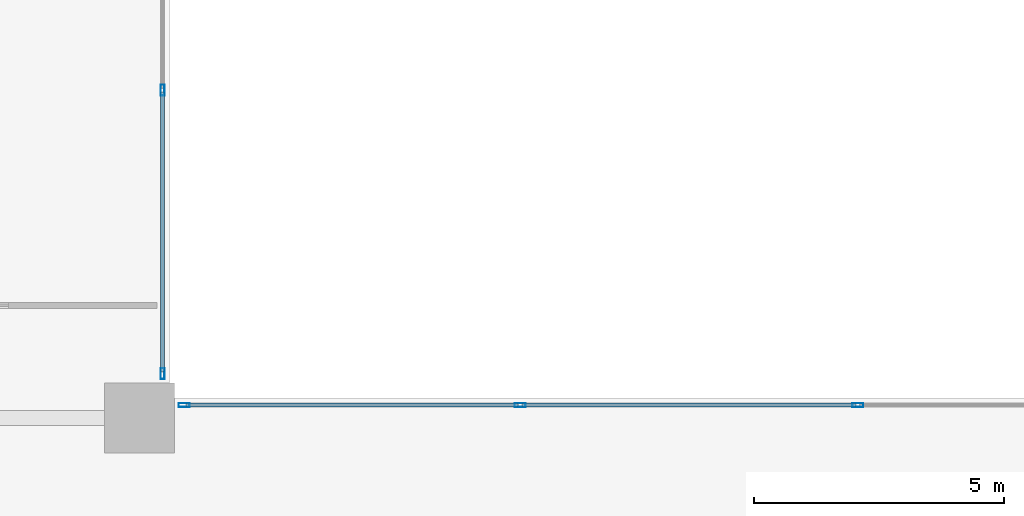
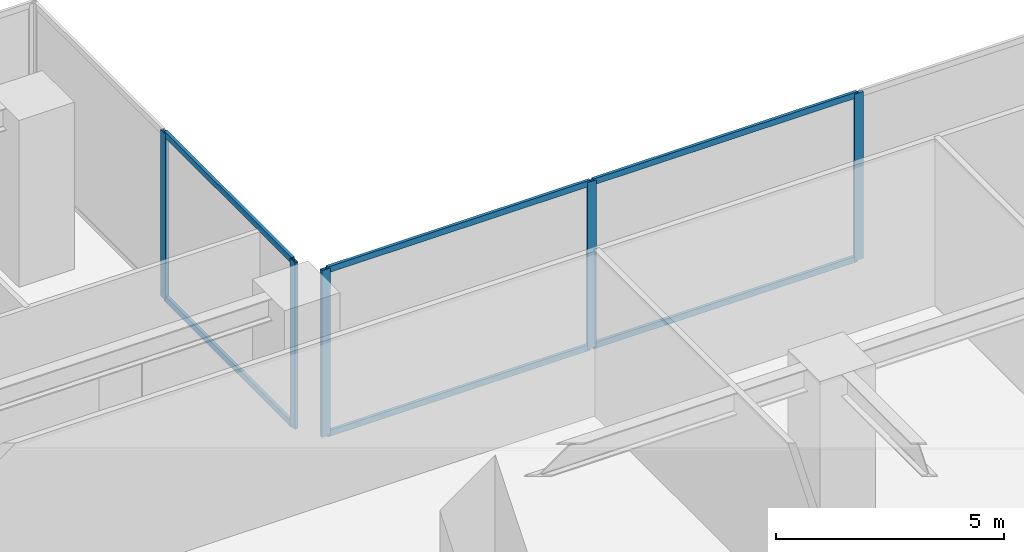
# One storey, part 5 of 16: 11 members, 2 elements without a shape of their own.
"""IFC4 building model written with IfcOpenShell, lengths in metres."""

from ifc_helpers import new_model, si_unit, direction, frame, origin, origin_with_axes, origin_2d, place, context, subcontext, project, spatial, hollow_rectangle, extrude, source, transform, mapped, material, layer, layer_set, material_profile, profile_set, type_object, element, aggregate, save


model = new_model("IFC4")

# Units and contexts
model_context = context("Model", 3, precision=1e-05, world=origin(), true_north=direction((0.0, 1.0)))
body_context = subcontext(model_context, "Body", "Model", "MODEL_VIEW")
ifc_project = project(units=[si_unit("LENGTHUNIT", "METRE"), si_unit("AREAUNIT", "SQUARE_METRE"), si_unit("VOLUMEUNIT", "CUBIC_METRE"), si_unit("PLANEANGLEUNIT", "RADIAN"), si_unit("MASSUNIT", "GRAM", prefix="KILO")], contexts=[model_context])

# Site, building, storey
site_placement = place(None, origin())
site = spatial("IfcSite", under=ifc_project, at=site_placement, CompositionType="ELEMENT")
building_placement = place(site_placement, origin())
building = spatial("IfcBuilding", under=site, at=building_placement, Name="Kolvaren Waterfront Exchange", CompositionType="ELEMENT")
storey_placement = place(building_placement, frame((0.0, 0.0, 20.0)))
storey = spatial("IfcBuildingStorey", under=building, at=storey_placement, Name="L05", CompositionType="ELEMENT", Elevation=20.0)

# Curtain wall, members
ifc_material_1 = material(Name="Anodised bronze aluminium 6063-T6", Category="aluminium")
ifc_layer = layer(ifc_material_1, 0.219970703125, Name="Anodised bronze aluminium 6063-T6")
ifc_layer_set = layer_set([ifc_layer], Name="Anodised bronze aluminium 6063-T6")
curtain_wall_type = type_object("IfcCurtainWallType", Name="ARC-CW-SYS4", PredefinedType="USERDEFINED", material=ifc_layer_set)
curtain_wall_1_placement = place(storey_placement, origin())
curtain_wall_1 = element("IfcCurtainWall", 1, at=curtain_wall_1_placement, inside=storey, type_object=curtain_wall_type, Name="L05 stick curtain wall CW4 (CW-L05-E2)", ObjectType="STICK CURTAIN WALL", PredefinedType="USERDEFINED")
ifc_material_2 = material(Name="Anodised aluminium 6063-T6", Category="aluminium")
ifc_material_profile_1 = material_profile(ifc_material_2, hollow_rectangle(XDim=0.080078125, YDim=0.219970703125, WallThickness=0.0048828125, at=origin_2d()), Name="ALU-MUL-220x80x5")
ifc_profile_set_1 = profile_set([ifc_material_profile_1], Name="Anodised aluminium 6063-T6")
member_type_1 = type_object("IfcMemberType", Name="ARC-CWM-220", PredefinedType="MULLION", material=ifc_profile_set_1)
shared_shape_1 = source(origin_with_axes(), body_context, "Body", "SweptSolid", [
    extrude(hollow_rectangle(XDim=0.080078125, YDim=0.219970703125, WallThickness=0.0048828125, at=origin_2d()), origin(), (0.0, 0.0, 1.0), 4.4599609375),
])
member_1_placement = place(storey_placement, frame((51.155029296875, 39.06005859375, 0.0), z_axis=(0.0, 0.0, 1.0), x_axis=(0.0, -1.0, 0.0)))
member_1 = element("IfcMember", 2, at=member_1_placement, type_object=member_type_1, Name="CW4 mullion 3", PredefinedType="MULLION", context=body_context, shape_type="MappedRepresentation", body=[
    mapped(shared_shape_1, transform((0.0, 0.0, 0.0), x_axis=(1.0, 0.0, 0.0), y_axis=(0.0, 1.0, 0.0), z_axis=(0.0, 0.0, 1.0), scale=1.0)),
])
member_2_placement = place(storey_placement, frame((44.402587890625, 39.06005859375, 0.0), z_axis=(0.0, 0.0, 1.0), x_axis=(0.0, -1.0, 0.0)))
member_2 = element("IfcMember", 3, at=member_2_placement, type_object=member_type_1, Name="CW4 mullion 4", PredefinedType="MULLION", context=body_context, shape_type="MappedRepresentation", body=[
    mapped(shared_shape_1, transform((0.0, 0.0, 0.0), x_axis=(1.0, 0.0, 0.0), y_axis=(0.0, 1.0, 0.0), z_axis=(0.0, 0.0, 1.0), scale=1.0)),
])
member_3_placement = place(storey_placement, frame((37.68994140625, 39.06005859375, 0.0), z_axis=(0.0, 0.0, 1.0), x_axis=(0.0, -1.0, 0.0)))
member_3 = element("IfcMember", 4, at=member_3_placement, type_object=member_type_1, Name="CW4 mullion 5", PredefinedType="MULLION", context=body_context, shape_type="MappedRepresentation", body=[
    mapped(shared_shape_1, transform((0.0, 0.0, 0.0), x_axis=(1.0, 0.0, 0.0), y_axis=(0.0, 1.0, 0.0), z_axis=(0.0, 0.0, 1.0), scale=1.0)),
])

curtain_wall_2_placement = place(storey_placement, origin())
curtain_wall_2 = element("IfcCurtainWall", 5, at=curtain_wall_2_placement, inside=storey, type_object=curtain_wall_type, Name="L05 stick curtain wall CW4 (CW-L05-N1)", ObjectType="STICK CURTAIN WALL", PredefinedType="USERDEFINED")
member_4_placement = place(storey_placement, frame((37.260009765625, 39.68994140625, 0.0), z_axis=(0.0, 0.0, 1.0), x_axis=(-1.0, 0.0, 0.0)))
member_4 = element("IfcMember", 6, at=member_4_placement, type_object=member_type_1, Name="CW4 mullion 1", PredefinedType="MULLION", context=body_context, shape_type="MappedRepresentation", body=[
    mapped(shared_shape_1, transform((0.0, 0.0, 0.0), x_axis=(1.0, 0.0, 0.0), y_axis=(0.0, 1.0, 0.0), z_axis=(0.0, 0.0, 1.0), scale=1.0)),
])
member_5_placement = place(storey_placement, frame((37.260009765625, 45.35498046875, 0.0), z_axis=(0.0, 0.0, 1.0), x_axis=(-1.0, 0.0, 0.0)))
member_5 = element("IfcMember", 7, at=member_5_placement, type_object=member_type_1, Name="CW4 mullion 2", PredefinedType="MULLION", context=body_context, shape_type="MappedRepresentation", body=[
    mapped(shared_shape_1, transform((0.0, 0.0, 0.0), x_axis=(1.0, 0.0, 0.0), y_axis=(0.0, 1.0, 0.0), z_axis=(0.0, 0.0, 1.0), scale=1.0)),
])

# Member
ifc_material_profile_2 = material_profile(ifc_material_2, hollow_rectangle(XDim=0.074951171875, YDim=0.159912109375, WallThickness=0.00439453125, at=origin_2d()), Name="ALU-TRN-160x75x4.5")
ifc_profile_set_2 = profile_set([ifc_material_profile_2], Name="Anodised aluminium 6063-T6")
member_type_2 = type_object("IfcMemberType", Name="ARC-CWT-160", PredefinedType="USERDEFINED", material=ifc_profile_set_2)
shared_shape_2 = source(origin_with_axes(), body_context, "Body", "SweptSolid", [
    extrude(hollow_rectangle(XDim=0.074951171875, YDim=0.159912109375, WallThickness=0.00439453125, at=origin_2d()), origin(), (0.0, 0.0, 1.0), 6.632568359375),
])
member_6_placement = place(storey_placement, frame((44.362548828125, 39.06005859375, 0.03759765625), z_axis=(-1.0, 0.0, 0.0), x_axis=(0.0, -1.0, 0.0)))
member_6 = element("IfcMember", 8, at=member_6_placement, type_object=member_type_2, Name="CW4 transom 4.1", ObjectType="TRANSOM", PredefinedType="USERDEFINED", context=body_context, shape_type="MappedRepresentation", body=[
    mapped(shared_shape_2, transform((0.0, 0.0, 0.0), x_axis=(1.0, 0.0, 0.0), y_axis=(0.0, 1.0, 0.0), z_axis=(0.0, 0.0, 1.0), scale=1.0)),
])

member_7_placement = place(storey_placement, frame((44.362548828125, 39.06005859375, 4.422607421875), z_axis=(-1.0, 0.0, 0.0), x_axis=(0.0, -1.0, 0.0)))
member_7 = element("IfcMember", 9, at=member_7_placement, type_object=member_type_2, Name="CW4 transom 4.2", ObjectType="TRANSOM", PredefinedType="USERDEFINED", context=body_context, shape_type="MappedRepresentation", body=[
    mapped(shared_shape_2, transform((0.0, 0.0, 0.0), x_axis=(1.0, 0.0, 0.0), y_axis=(0.0, 1.0, 0.0), z_axis=(0.0, 0.0, 1.0), scale=1.0)),
])

shared_shape_3 = source(origin_with_axes(), body_context, "Body", "SweptSolid", [
    extrude(hollow_rectangle(XDim=0.074951171875, YDim=0.159912109375, WallThickness=0.00439453125, at=origin_2d()), origin(), (0.0, 0.0, 1.0), 6.672607421875),
])
member_8_placement = place(storey_placement, frame((51.114990234375, 39.06005859375, 0.03759765625), z_axis=(-1.0, 0.0, 0.0), x_axis=(0.0, -1.0, 0.0)))
member_8 = element("IfcMember", 10, at=member_8_placement, type_object=member_type_2, Name="CW4 transom 3.1", ObjectType="TRANSOM", PredefinedType="USERDEFINED", context=body_context, shape_type="MappedRepresentation", body=[
    mapped(shared_shape_3, transform((0.0, 0.0, 0.0), x_axis=(1.0, 0.0, 0.0), y_axis=(0.0, 1.0, 0.0), z_axis=(0.0, 0.0, 1.0), scale=1.0)),
])

member_9_placement = place(storey_placement, frame((51.114990234375, 39.06005859375, 4.422607421875), z_axis=(-1.0, 0.0, 0.0), x_axis=(0.0, -1.0, 0.0)))
member_9 = element("IfcMember", 11, at=member_9_placement, type_object=member_type_2, Name="CW4 transom 3.2", ObjectType="TRANSOM", PredefinedType="USERDEFINED", context=body_context, shape_type="MappedRepresentation", body=[
    mapped(shared_shape_3, transform((0.0, 0.0, 0.0), x_axis=(1.0, 0.0, 0.0), y_axis=(0.0, 1.0, 0.0), z_axis=(0.0, 0.0, 1.0), scale=1.0)),
])

aggregate(curtain_wall_1, [member_1, member_2, member_3, member_8, member_9, member_6, member_7])

shared_shape_4 = source(origin_with_axes(), body_context, "Body", "SweptSolid", [
    extrude(hollow_rectangle(XDim=0.074951171875, YDim=0.159912109375, WallThickness=0.00439453125, at=origin_2d()), origin(), (0.0, 0.0, 1.0), 5.5849609375),
])
member_10_placement = place(storey_placement, frame((37.260009765625, 39.72998046875, 0.03759765625), z_axis=(0.0, 1.0, 0.0), x_axis=(-1.0, 0.0, 0.0)))
member_10 = element("IfcMember", 12, at=member_10_placement, type_object=member_type_2, Name="CW4 transom 1.1", ObjectType="TRANSOM", PredefinedType="USERDEFINED", context=body_context, shape_type="MappedRepresentation", body=[
    mapped(shared_shape_4, transform((0.0, 0.0, 0.0), x_axis=(1.0, 0.0, 0.0), y_axis=(0.0, 1.0, 0.0), z_axis=(0.0, 0.0, 1.0), scale=1.0)),
])

member_11_placement = place(storey_placement, frame((37.260009765625, 39.72998046875, 4.422607421875), z_axis=(0.0, 1.0, 0.0), x_axis=(-1.0, 0.0, 0.0)))
member_11 = element("IfcMember", 13, at=member_11_placement, type_object=member_type_2, Name="CW4 transom 1.2", ObjectType="TRANSOM", PredefinedType="USERDEFINED", context=body_context, shape_type="MappedRepresentation", body=[
    mapped(shared_shape_4, transform((0.0, 0.0, 0.0), x_axis=(1.0, 0.0, 0.0), y_axis=(0.0, 1.0, 0.0), z_axis=(0.0, 0.0, 1.0), scale=1.0)),
])

aggregate(curtain_wall_2, [member_4, member_5, member_10, member_11])

save(model, "model.ifc")
